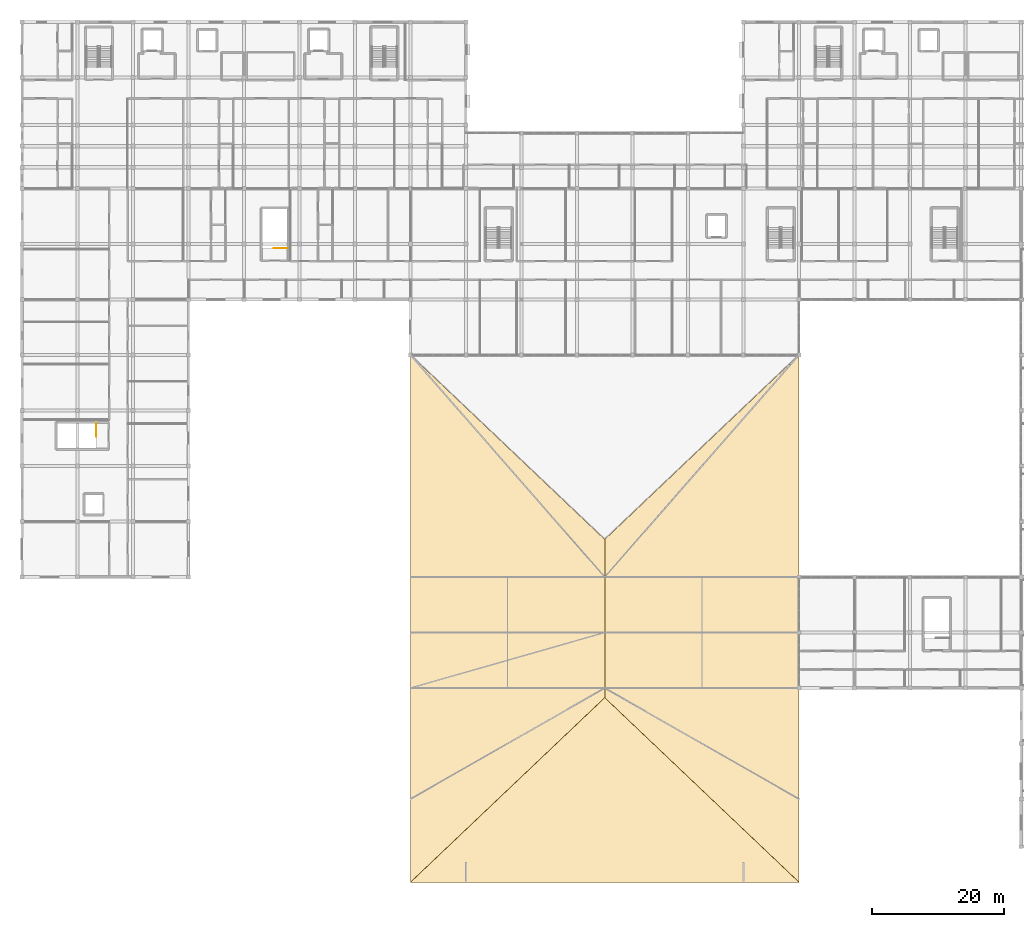
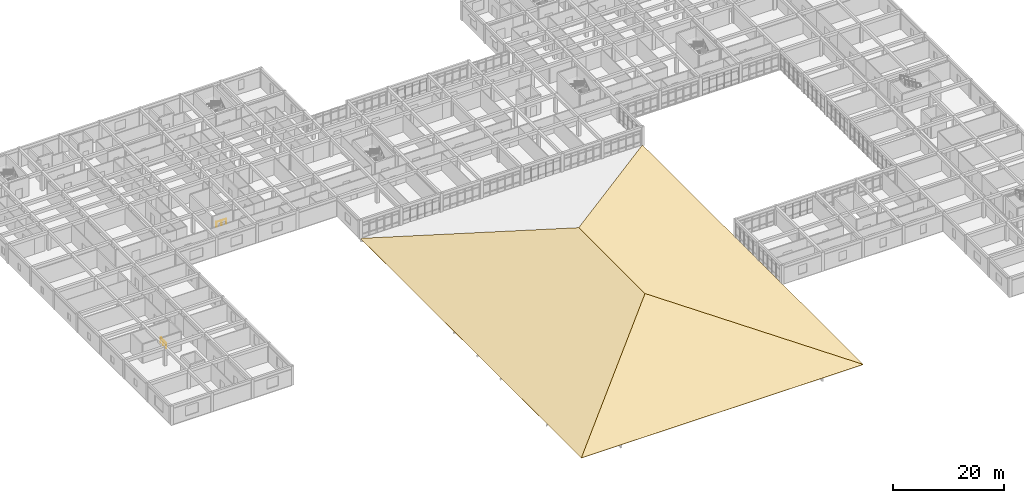
# One storey, part 64 of 77: 3 coverings, 2 railings, 1 element without a shape of its own.
"""IFC4 building model written with IfcOpenShell, lengths in metres."""

from ifc_helpers import new_model, si_unit, direction, frame, origin, origin_2d, place, context, subcontext, project, spatial, polyline, circle, outline, extrude, material, layer, layer_set, type_object, element, aggregate, save


model = new_model("IFC4")

# Units and contexts
model_context = context("Model", 3, precision=1e-05, world=origin(), true_north=direction((0.0, 1.0)))
body_context = subcontext(model_context, "Body", "Model", "MODEL_VIEW")
ifc_project = project(units=[si_unit("LENGTHUNIT", "METRE"), si_unit("AREAUNIT", "SQUARE_METRE"), si_unit("VOLUMEUNIT", "CUBIC_METRE"), si_unit("PLANEANGLEUNIT", "RADIAN"), si_unit("MASSUNIT", "GRAM", prefix="KILO")], contexts=[model_context])

# Site, building, storey
site_placement = place(None, origin())
site = spatial("IfcSite", under=ifc_project, at=site_placement, CompositionType="ELEMENT")
building_placement = place(site_placement, origin())
building = spatial("IfcBuilding", under=site, at=building_placement, Name="Varncliffe General Hospital", CompositionType="ELEMENT")
storey_placement = place(building_placement, frame((0.0, 0.0, 16.199951171875)))
storey = spatial("IfcBuildingStorey", under=building, at=storey_placement, Name="L03", CompositionType="ELEMENT", Elevation=16.199951171875)

# Railings
ifc_material_1 = material(Name="Powder-coated hospital steel guardrail and handrail", Category="steel")
railing_type = type_object("IfcRailingType", Name="Stairwell Guardrail SG49", PredefinedType="GUARDRAIL", material=ifc_material_1)
railing_1_placement = place(storey_placement, frame((11.25, 64.10009765625, 0.0)))
element("IfcRailing", 1, at=railing_1_placement, inside=storey, type_object=railing_type, Name="L03 ST05 top well guard 1", PredefinedType="GUARDRAIL", context=body_context, shape_type="SweptSolid", body=[
    extrude(circle(Radius=0.02392578125, at=origin_2d()), frame((0.0, 0.0, 1.076171875), z_axis=(0.0, -1.0, 0.0), x_axis=(1.0, 0.0, 0.0)), (0.0, 0.0, 1.0), 2.050048828125),
    extrude(circle(Radius=0.02099609375, at=origin_2d()), origin(), (0.0, 0.0, 1.0), 1.052001953125),
    extrude(circle(Radius=0.02099609375, at=origin_2d()), frame((0.0, -1.02490234375, 0.0)), (0.0, 0.0, 1.0), 1.052001953125),
    extrude(circle(Radius=0.02099609375, at=origin_2d()), frame((0.0, -2.050048828125, 0.0)), (0.0, 0.0, 1.0), 1.052001953125),
])
railing_2_placement = place(storey_placement, frame((40.199951171875, 90.550048828125, 0.0)))
element("IfcRailing", 2, at=railing_2_placement, inside=storey, type_object=railing_type, Name="L03 ST13 top well guard 1", PredefinedType="GUARDRAIL", context=body_context, shape_type="SweptSolid", body=[
    extrude(circle(Radius=0.02392578125, at=origin_2d()), frame((0.0, 0.0, 1.076171875), z_axis=(-1.0, 0.0, 0.0), x_axis=(0.0, -1.0, 0.0)), (0.0, 0.0, 1.0), 2.050048828125),
    extrude(circle(Radius=0.02099609375, at=origin_2d()), origin(), (0.0, 0.0, 1.0), 1.052001953125),
    extrude(circle(Radius=0.02099609375, at=origin_2d()), frame((-1.02490234375, 0.0, 0.0)), (0.0, 0.0, 1.0), 1.052001953125),
    extrude(circle(Radius=0.02099609375, at=origin_2d()), frame((-2.050048828125, 0.0, 0.0)), (0.0, 0.0, 1.0), 1.052001953125),
])

# Roof, coverings
ifc_material_2 = material(Name="Terracotta clay roof tile over waterproof membrane", Category="masonry")
roof_type = type_object("IfcRoofType", Name="Hipped Clay-Tile Roof Assembly HR20", PredefinedType="HIP_ROOF", material=ifc_material_2)
roof_placement = place(storey_placement, origin())
roof = element("IfcRoof", 3, at=roof_placement, inside=storey, type_object=roof_type, Name="L03 Hipped Roof RF-V1-MAIN", PredefinedType="HIP_ROOF")
ifc_layer = layer(ifc_material_2, 0.044921875)
ifc_layer_set = layer_set([ifc_layer], Name="Terracotta clay roof tile over waterproof membrane")
covering_type = type_object("IfcCoveringType", Name="Terracotta Clay Tile Roofing RFG24", PredefinedType="ROOFING", material=ifc_layer_set)
covering_1_placement = place(storey_placement, frame((58.800048828125, 74.39990234375, 0.045166015625), z_axis=(-0.292715161081, 0.0, 0.956199683368), x_axis=(0.0, -1.0, 0.0)))
covering_1 = element("IfcCovering", 4, at=covering_1_placement, type_object=covering_type, Name="L03 RF-V1-MAIN Terracotta Clay Tile Slope W", PredefinedType="ROOFING", context=body_context, shape_type="SweptSolid", body=[
    extrude(outline(polyline([(0.0, 0.0), (79.7998046875, 0.0), (51.869873046875, 30.74661376187688), (27.929931640625, 30.74661376187688), (0.0, 0.0)])), origin(), (0.0, 0.0, -1.0), 0.044921875),
])
covering_2_placement = place(storey_placement, frame((117.60009765625, -5.39990234375, 0.045166015625), z_axis=(0.292712938624, 0.0, 0.956200363712), x_axis=(0.0, 1.0, 0.0)))
covering_2 = element("IfcCovering", 5, at=covering_2_placement, type_object=covering_type, Name="L03 RF-V1-MAIN Terracotta Clay Tile Slope E", PredefinedType="ROOFING", context=body_context, shape_type="SweptSolid", body=[
    extrude(outline(polyline([(0.0, 0.0), (79.7998046875, 0.0), (51.869873046875, 30.74684720914825), (27.929931640625, 30.74684720914825), (0.0, 0.0)])), origin(), (0.0, 0.0, -1.0), 0.044921875),
])
covering_3_placement = place(storey_placement, frame((58.800048828125, -5.39990234375, 0.045166015625), z_axis=(0.0, -0.306704738421, 0.951804708661), x_axis=(1.0, 0.0, 0.0)))
covering_3 = element("IfcCovering", 6, at=covering_3_placement, type_object=covering_type, Name="L03 RF-V1-MAIN Terracotta Clay Tile Slope S", PredefinedType="ROOFING", context=body_context, shape_type="SweptSolid", body=[
    extrude(outline(polyline([(0.0, 0.0), (58.800048828125, 0.0), (29.39990234375, 29.344183093928265), (0.0, 0.0)])), origin(), (0.0, 0.0, -1.0), 0.044921875),
])
aggregate(roof, [covering_1, covering_2, covering_3])

save(model, "model.ifc")
